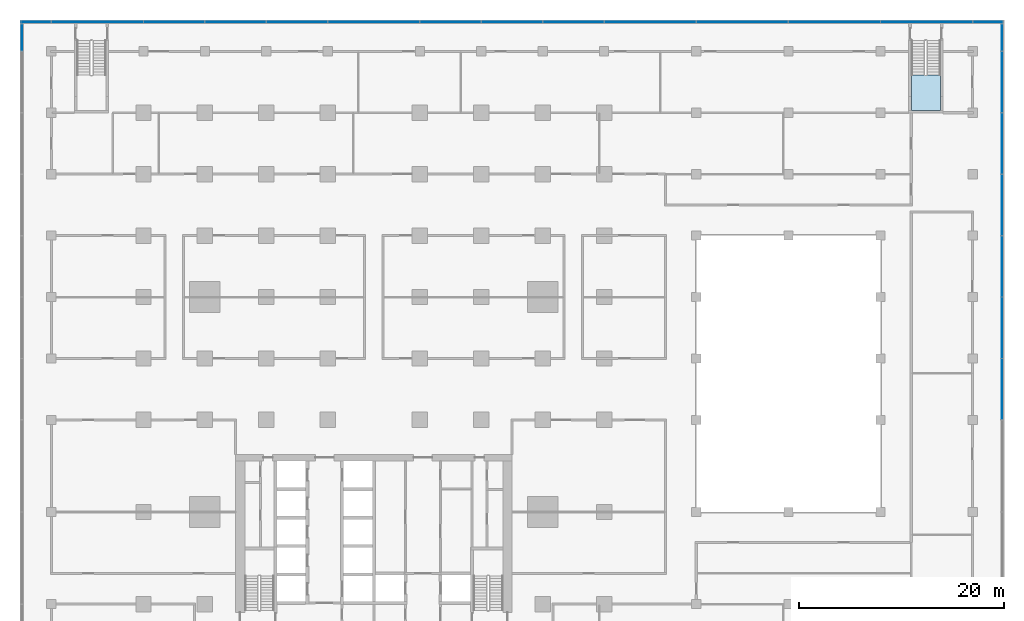
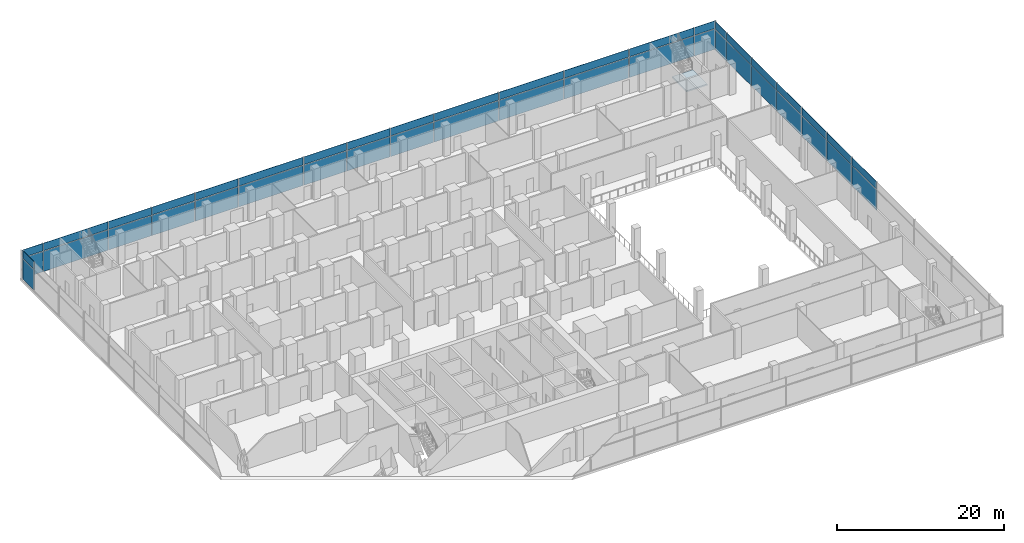
# One storey, part 11 of 22: 44 plates, 1 slab, 4 elements without a shape of their own.
"""IFC4 building model written with IfcOpenShell, lengths in metres."""

from ifc_helpers import new_model, si_unit, direction, frame, origin, origin_2d, place, context, subcontext, project, spatial, polyline, rectangle, outline, extrude, material, layer, layer_set, type_object, element, aggregate, save


model = new_model("IFC4")

# Units and contexts
model_context = context("Model", 3, precision=1e-05, world=origin(), true_north=direction((0.0, 1.0)))
body_context = subcontext(model_context, "Body", "Model", "MODEL_VIEW")
ifc_project = project(units=[si_unit("LENGTHUNIT", "METRE"), si_unit("AREAUNIT", "SQUARE_METRE"), si_unit("VOLUMEUNIT", "CUBIC_METRE"), si_unit("PLANEANGLEUNIT", "RADIAN"), si_unit("MASSUNIT", "GRAM", prefix="KILO")], contexts=[model_context])

# Site, building, storey
site_placement = place(None, origin())
site = spatial("IfcSite", under=ifc_project, at=site_placement, CompositionType="ELEMENT")
building_placement = place(site_placement, origin())
building = spatial("IfcBuilding", under=site, at=building_placement, Name="Finial Court Residences", CompositionType="ELEMENT")
storey_placement = place(building_placement, frame((0.0, 0.0, 23.5)))
storey = spatial("IfcBuildingStorey", under=building, at=storey_placement, Name="L04", CompositionType="ELEMENT", Elevation=23.5)

# Curtain wall, plates
ifc_material_1 = material(Name="Bronze anodised aluminium", Category="aluminium")
curtain_wall_type = type_object("IfcCurtainWallType", Name="Podium curtain wall", PredefinedType="NOTDEFINED", material=ifc_material_1)
curtain_wall_1_placement = place(storey_placement, origin())
curtain_wall_1 = element("IfcCurtainWall", 1, at=curtain_wall_1_placement, inside=storey, type_object=curtain_wall_type, Name="E-L04-CW-N1", PredefinedType="NOTDEFINED")
ifc_material_2 = material(Name="Clear low-e glass", Category="glass")
ifc_layer_1 = layer(ifc_material_2, 0.035888671875)
ifc_layer_set_1 = layer_set([ifc_layer_1], Name="CW5 vision glass 36")
plate_type = type_object("IfcPlateType", Name="CW5 vision glass 36", PredefinedType="CURTAIN_PANEL", material=ifc_layer_set_1)
plate_1_placement = place(storey_placement, frame((-32.97998046875, 34.35009765625, 0.0), z_axis=(0.0, 0.0, 1.0), x_axis=(1.0, 0.0, 0.0)))
plate_1 = element("IfcPlate", 2, at=plate_1_placement, type_object=plate_type, Name="CW5 glass 1.1", PredefinedType="CURTAIN_PANEL", context=body_context, shape_type="SweptSolid", body=[
    extrude(rectangle(XDim=2.8798828125, YDim=0.035888671875, at=origin_2d()), origin(), (0.0, 0.0, 1.0), 2.9599609375),
])
plate_2_placement = place(storey_placement, frame((-32.97998046875, 34.35009765625, 3.0400390625), z_axis=(0.0, 0.0, 1.0), x_axis=(1.0, 0.0, 0.0)))
plate_2 = element("IfcPlate", 3, at=plate_2_placement, type_object=plate_type, Name="CW5 glass 1.2", PredefinedType="CURTAIN_PANEL", context=body_context, shape_type="SweptSolid", body=[
    extrude(rectangle(XDim=2.8798828125, YDim=0.035888671875, at=origin_2d()), origin(), (0.0, 0.0, 1.0), 1.110107421875),
])
plate_3_placement = place(storey_placement, frame((-27.0, 34.35009765625, 0.0), z_axis=(0.0, 0.0, 1.0), x_axis=(1.0, 0.0, 0.0)))
plate_3 = element("IfcPlate", 4, at=plate_3_placement, type_object=plate_type, Name="CW5 glass 2.1", PredefinedType="CURTAIN_PANEL", context=body_context, shape_type="SweptSolid", body=[
    extrude(rectangle(XDim=8.919921875, YDim=0.035888671875, at=origin_2d()), origin(), (0.0, 0.0, 1.0), 2.9599609375),
])
plate_4_placement = place(storey_placement, frame((-27.0, 34.35009765625, 3.0400390625), z_axis=(0.0, 0.0, 1.0), x_axis=(1.0, 0.0, 0.0)))
plate_4 = element("IfcPlate", 5, at=plate_4_placement, type_object=plate_type, Name="CW5 glass 2.2", PredefinedType="CURTAIN_PANEL", context=body_context, shape_type="SweptSolid", body=[
    extrude(rectangle(XDim=8.919921875, YDim=0.035888671875, at=origin_2d()), origin(), (0.0, 0.0, 1.0), 1.110107421875),
])
plate_5_placement = place(storey_placement, frame((-19.5, 34.35009765625, 0.0), z_axis=(0.0, 0.0, 1.0), x_axis=(1.0, 0.0, 0.0)))
plate_5 = element("IfcPlate", 6, at=plate_5_placement, type_object=plate_type, Name="CW5 glass 3.1", PredefinedType="CURTAIN_PANEL", context=body_context, shape_type="SweptSolid", body=[
    extrude(rectangle(XDim=5.919921875, YDim=0.035888671875, at=origin_2d()), origin(), (0.0, 0.0, 1.0), 2.9599609375),
])
plate_6_placement = place(storey_placement, frame((-19.5, 34.35009765625, 3.0400390625), z_axis=(0.0, 0.0, 1.0), x_axis=(1.0, 0.0, 0.0)))
plate_6 = element("IfcPlate", 7, at=plate_6_placement, type_object=plate_type, Name="CW5 glass 3.2", PredefinedType="CURTAIN_PANEL", context=body_context, shape_type="SweptSolid", body=[
    extrude(rectangle(XDim=5.919921875, YDim=0.035888671875, at=origin_2d()), origin(), (0.0, 0.0, 1.0), 1.110107421875),
])
plate_7_placement = place(storey_placement, frame((-13.5, 34.35009765625, 0.0), z_axis=(0.0, 0.0, 1.0), x_axis=(1.0, 0.0, 0.0)))
plate_7 = element("IfcPlate", 8, at=plate_7_placement, type_object=plate_type, Name="CW5 glass 4.1", PredefinedType="CURTAIN_PANEL", context=body_context, shape_type="SweptSolid", body=[
    extrude(rectangle(XDim=5.919921875, YDim=0.035888671875, at=origin_2d()), origin(), (0.0, 0.0, 1.0), 2.9599609375),
])
plate_8_placement = place(storey_placement, frame((-13.5, 34.35009765625, 3.0400390625), z_axis=(0.0, 0.0, 1.0), x_axis=(1.0, 0.0, 0.0)))
plate_8 = element("IfcPlate", 9, at=plate_8_placement, type_object=plate_type, Name="CW5 glass 4.2", PredefinedType="CURTAIN_PANEL", context=body_context, shape_type="SweptSolid", body=[
    extrude(rectangle(XDim=5.919921875, YDim=0.035888671875, at=origin_2d()), origin(), (0.0, 0.0, 1.0), 1.110107421875),
])
plate_9_placement = place(storey_placement, frame((-7.5, 34.35009765625, 0.0), z_axis=(0.0, 0.0, 1.0), x_axis=(1.0, 0.0, 0.0)))
plate_9 = element("IfcPlate", 10, at=plate_9_placement, type_object=plate_type, Name="CW5 glass 5.1", PredefinedType="CURTAIN_PANEL", context=body_context, shape_type="SweptSolid", body=[
    extrude(rectangle(XDim=5.919921875, YDim=0.035888671875, at=origin_2d()), origin(), (0.0, 0.0, 1.0), 2.9599609375),
])
plate_10_placement = place(storey_placement, frame((-7.5, 34.35009765625, 3.0400390625), z_axis=(0.0, 0.0, 1.0), x_axis=(1.0, 0.0, 0.0)))
plate_10 = element("IfcPlate", 11, at=plate_10_placement, type_object=plate_type, Name="CW5 glass 5.2", PredefinedType="CURTAIN_PANEL", context=body_context, shape_type="SweptSolid", body=[
    extrude(rectangle(XDim=5.919921875, YDim=0.035888671875, at=origin_2d()), origin(), (0.0, 0.0, 1.0), 1.110107421875),
])
plate_11_placement = place(storey_placement, frame((0.0, 34.35009765625, 0.0), z_axis=(0.0, 0.0, 1.0), x_axis=(1.0, 0.0, 0.0)))
plate_11 = element("IfcPlate", 12, at=plate_11_placement, type_object=plate_type, Name="CW5 glass 6.1", PredefinedType="CURTAIN_PANEL", context=body_context, shape_type="SweptSolid", body=[
    extrude(rectangle(XDim=8.919921875, YDim=0.035888671875, at=origin_2d()), origin(), (0.0, 0.0, 1.0), 2.9599609375),
])
plate_12_placement = place(storey_placement, frame((0.0, 34.35009765625, 3.0400390625), z_axis=(0.0, 0.0, 1.0), x_axis=(1.0, 0.0, 0.0)))
plate_12 = element("IfcPlate", 13, at=plate_12_placement, type_object=plate_type, Name="CW5 glass 6.2", PredefinedType="CURTAIN_PANEL", context=body_context, shape_type="SweptSolid", body=[
    extrude(rectangle(XDim=8.919921875, YDim=0.035888671875, at=origin_2d()), origin(), (0.0, 0.0, 1.0), 1.110107421875),
])
plate_13_placement = place(storey_placement, frame((7.5, 34.35009765625, 0.0), z_axis=(0.0, 0.0, 1.0), x_axis=(1.0, 0.0, 0.0)))
plate_13 = element("IfcPlate", 14, at=plate_13_placement, type_object=plate_type, Name="CW5 glass 7.1", PredefinedType="CURTAIN_PANEL", context=body_context, shape_type="SweptSolid", body=[
    extrude(rectangle(XDim=5.919921875, YDim=0.035888671875, at=origin_2d()), origin(), (0.0, 0.0, 1.0), 2.9599609375),
])
plate_14_placement = place(storey_placement, frame((7.5, 34.35009765625, 3.0400390625), z_axis=(0.0, 0.0, 1.0), x_axis=(1.0, 0.0, 0.0)))
plate_14 = element("IfcPlate", 15, at=plate_14_placement, type_object=plate_type, Name="CW5 glass 7.2", PredefinedType="CURTAIN_PANEL", context=body_context, shape_type="SweptSolid", body=[
    extrude(rectangle(XDim=5.919921875, YDim=0.035888671875, at=origin_2d()), origin(), (0.0, 0.0, 1.0), 1.110107421875),
])
plate_15_placement = place(storey_placement, frame((13.5, 34.35009765625, 0.0), z_axis=(0.0, 0.0, 1.0), x_axis=(1.0, 0.0, 0.0)))
plate_15 = element("IfcPlate", 16, at=plate_15_placement, type_object=plate_type, Name="CW5 glass 8.1", PredefinedType="CURTAIN_PANEL", context=body_context, shape_type="SweptSolid", body=[
    extrude(rectangle(XDim=5.919921875, YDim=0.035888671875, at=origin_2d()), origin(), (0.0, 0.0, 1.0), 2.9599609375),
])
plate_16_placement = place(storey_placement, frame((13.5, 34.35009765625, 3.0400390625), z_axis=(0.0, 0.0, 1.0), x_axis=(1.0, 0.0, 0.0)))
plate_16 = element("IfcPlate", 17, at=plate_16_placement, type_object=plate_type, Name="CW5 glass 8.2", PredefinedType="CURTAIN_PANEL", context=body_context, shape_type="SweptSolid", body=[
    extrude(rectangle(XDim=5.919921875, YDim=0.035888671875, at=origin_2d()), origin(), (0.0, 0.0, 1.0), 1.110107421875),
])
plate_17_placement = place(storey_placement, frame((19.5, 34.35009765625, 0.0), z_axis=(0.0, 0.0, 1.0), x_axis=(1.0, 0.0, 0.0)))
plate_17 = element("IfcPlate", 18, at=plate_17_placement, type_object=plate_type, Name="CW5 glass 9.1", PredefinedType="CURTAIN_PANEL", context=body_context, shape_type="SweptSolid", body=[
    extrude(rectangle(XDim=5.919921875, YDim=0.035888671875, at=origin_2d()), origin(), (0.0, 0.0, 1.0), 2.9599609375),
])
plate_18_placement = place(storey_placement, frame((19.5, 34.35009765625, 3.0400390625), z_axis=(0.0, 0.0, 1.0), x_axis=(1.0, 0.0, 0.0)))
plate_18 = element("IfcPlate", 19, at=plate_18_placement, type_object=plate_type, Name="CW5 glass 9.2", PredefinedType="CURTAIN_PANEL", context=body_context, shape_type="SweptSolid", body=[
    extrude(rectangle(XDim=5.919921875, YDim=0.035888671875, at=origin_2d()), origin(), (0.0, 0.0, 1.0), 1.110107421875),
])
plate_19_placement = place(storey_placement, frame((27.0, 34.35009765625, 0.0), z_axis=(0.0, 0.0, 1.0), x_axis=(1.0, 0.0, 0.0)))
plate_19 = element("IfcPlate", 20, at=plate_19_placement, type_object=plate_type, Name="CW5 glass 10.1", PredefinedType="CURTAIN_PANEL", context=body_context, shape_type="SweptSolid", body=[
    extrude(rectangle(XDim=8.919921875, YDim=0.035888671875, at=origin_2d()), origin(), (0.0, 0.0, 1.0), 2.9599609375),
])
plate_20_placement = place(storey_placement, frame((27.0, 34.35009765625, 3.0400390625), z_axis=(0.0, 0.0, 1.0), x_axis=(1.0, 0.0, 0.0)))
plate_20 = element("IfcPlate", 21, at=plate_20_placement, type_object=plate_type, Name="CW5 glass 10.2", PredefinedType="CURTAIN_PANEL", context=body_context, shape_type="SweptSolid", body=[
    extrude(rectangle(XDim=8.919921875, YDim=0.035888671875, at=origin_2d()), origin(), (0.0, 0.0, 1.0), 1.110107421875),
])
plate_21_placement = place(storey_placement, frame((36.0, 34.35009765625, 0.0), z_axis=(0.0, 0.0, 1.0), x_axis=(1.0, 0.0, 0.0)))
plate_21 = element("IfcPlate", 22, at=plate_21_placement, type_object=plate_type, Name="CW5 glass 11.1", PredefinedType="CURTAIN_PANEL", context=body_context, shape_type="SweptSolid", body=[
    extrude(rectangle(XDim=8.919921875, YDim=0.035888671875, at=origin_2d()), origin(), (0.0, 0.0, 1.0), 2.9599609375),
])
plate_22_placement = place(storey_placement, frame((36.0, 34.35009765625, 3.0400390625), z_axis=(0.0, 0.0, 1.0), x_axis=(1.0, 0.0, 0.0)))
plate_22 = element("IfcPlate", 23, at=plate_22_placement, type_object=plate_type, Name="CW5 glass 11.2", PredefinedType="CURTAIN_PANEL", context=body_context, shape_type="SweptSolid", body=[
    extrude(rectangle(XDim=8.919921875, YDim=0.035888671875, at=origin_2d()), origin(), (0.0, 0.0, 1.0), 1.110107421875),
])
plate_23_placement = place(storey_placement, frame((45.0, 34.35009765625, 0.0), z_axis=(0.0, 0.0, 1.0), x_axis=(1.0, 0.0, 0.0)))
plate_23 = element("IfcPlate", 24, at=plate_23_placement, type_object=plate_type, Name="CW5 glass 12.1", PredefinedType="CURTAIN_PANEL", context=body_context, shape_type="SweptSolid", body=[
    extrude(rectangle(XDim=8.919921875, YDim=0.035888671875, at=origin_2d()), origin(), (0.0, 0.0, 1.0), 2.9599609375),
])
plate_24_placement = place(storey_placement, frame((45.0, 34.35009765625, 3.0400390625), z_axis=(0.0, 0.0, 1.0), x_axis=(1.0, 0.0, 0.0)))
plate_24 = element("IfcPlate", 25, at=plate_24_placement, type_object=plate_type, Name="CW5 glass 12.2", PredefinedType="CURTAIN_PANEL", context=body_context, shape_type="SweptSolid", body=[
    extrude(rectangle(XDim=8.919921875, YDim=0.035888671875, at=origin_2d()), origin(), (0.0, 0.0, 1.0), 1.110107421875),
])
plate_25_placement = place(storey_placement, frame((54.0, 34.35009765625, 0.0), z_axis=(0.0, 0.0, 1.0), x_axis=(1.0, 0.0, 0.0)))
plate_25 = element("IfcPlate", 26, at=plate_25_placement, type_object=plate_type, Name="CW5 glass 13.1", PredefinedType="CURTAIN_PANEL", context=body_context, shape_type="SweptSolid", body=[
    extrude(rectangle(XDim=8.919921875, YDim=0.035888671875, at=origin_2d()), origin(), (0.0, 0.0, 1.0), 2.9599609375),
])
plate_26_placement = place(storey_placement, frame((54.0, 34.35009765625, 3.0400390625), z_axis=(0.0, 0.0, 1.0), x_axis=(1.0, 0.0, 0.0)))
plate_26 = element("IfcPlate", 27, at=plate_26_placement, type_object=plate_type, Name="CW5 glass 13.2", PredefinedType="CURTAIN_PANEL", context=body_context, shape_type="SweptSolid", body=[
    extrude(rectangle(XDim=8.919921875, YDim=0.035888671875, at=origin_2d()), origin(), (0.0, 0.0, 1.0), 1.110107421875),
])
plate_27_placement = place(storey_placement, frame((59.97998046875, 34.35009765625, 0.0), z_axis=(0.0, 0.0, 1.0), x_axis=(1.0, 0.0, 0.0)))
plate_27 = element("IfcPlate", 28, at=plate_27_placement, type_object=plate_type, Name="CW5 glass 14.1", PredefinedType="CURTAIN_PANEL", context=body_context, shape_type="SweptSolid", body=[
    extrude(rectangle(XDim=2.8798828125, YDim=0.035888671875, at=origin_2d()), origin(), (0.0, 0.0, 1.0), 2.9599609375),
])
plate_28_placement = place(storey_placement, frame((59.97998046875, 34.35009765625, 3.0400390625), z_axis=(0.0, 0.0, 1.0), x_axis=(1.0, 0.0, 0.0)))
plate_28 = element("IfcPlate", 29, at=plate_28_placement, type_object=plate_type, Name="CW5 glass 14.2", PredefinedType="CURTAIN_PANEL", context=body_context, shape_type="SweptSolid", body=[
    extrude(rectangle(XDim=2.8798828125, YDim=0.035888671875, at=origin_2d()), origin(), (0.0, 0.0, 1.0), 1.110107421875),
])
aggregate(curtain_wall_1, [plate_1, plate_2, plate_3, plate_4, plate_5, plate_6, plate_7, plate_8, plate_9, plate_10, plate_11, plate_12, plate_13, plate_14, plate_15, plate_16, plate_17, plate_18, plate_19, plate_20, plate_21, plate_22, plate_23, plate_24, plate_25, plate_26, plate_27, plate_28])

curtain_wall_2_placement = place(storey_placement, origin())
curtain_wall_2 = element("IfcCurtainWall", 30, at=curtain_wall_2_placement, inside=storey, type_object=curtain_wall_type, Name="E-L04-CW-E2", PredefinedType="NOTDEFINED")
plate_29_placement = place(storey_placement, frame((61.35009765625, -1.5, 0.0), z_axis=(0.0, 0.0, 1.0), x_axis=(0.0, 1.0, 0.0)))
plate_29 = element("IfcPlate", 31, at=plate_29_placement, type_object=plate_type, Name="CW5 glass 5.1", PredefinedType="CURTAIN_PANEL", context=body_context, shape_type="SweptSolid", body=[
    extrude(rectangle(XDim=5.919921875, YDim=0.035888671875, at=origin_2d()), origin(), (0.0, 0.0, 1.0), 2.9599609375),
])
plate_30_placement = place(storey_placement, frame((61.35009765625, -1.5, 3.0400390625), z_axis=(0.0, 0.0, 1.0), x_axis=(0.0, 1.0, 0.0)))
plate_30 = element("IfcPlate", 32, at=plate_30_placement, type_object=plate_type, Name="CW5 glass 5.2", PredefinedType="CURTAIN_PANEL", context=body_context, shape_type="SweptSolid", body=[
    extrude(rectangle(XDim=5.919921875, YDim=0.035888671875, at=origin_2d()), origin(), (0.0, 0.0, 1.0), 1.110107421875),
])
plate_31_placement = place(storey_placement, frame((61.35009765625, 4.5, 0.0), z_axis=(0.0, 0.0, 1.0), x_axis=(0.0, 1.0, 0.0)))
plate_31 = element("IfcPlate", 33, at=plate_31_placement, type_object=plate_type, Name="CW5 glass 6.1", PredefinedType="CURTAIN_PANEL", context=body_context, shape_type="SweptSolid", body=[
    extrude(rectangle(XDim=5.919921875, YDim=0.035888671875, at=origin_2d()), origin(), (0.0, 0.0, 1.0), 2.9599609375),
])
plate_32_placement = place(storey_placement, frame((61.35009765625, 4.5, 3.0400390625), z_axis=(0.0, 0.0, 1.0), x_axis=(0.0, 1.0, 0.0)))
plate_32 = element("IfcPlate", 34, at=plate_32_placement, type_object=plate_type, Name="CW5 glass 6.2", PredefinedType="CURTAIN_PANEL", context=body_context, shape_type="SweptSolid", body=[
    extrude(rectangle(XDim=5.919921875, YDim=0.035888671875, at=origin_2d()), origin(), (0.0, 0.0, 1.0), 1.110107421875),
])
plate_33_placement = place(storey_placement, frame((61.35009765625, 10.5, 0.0), z_axis=(0.0, 0.0, 1.0), x_axis=(0.0, 1.0, 0.0)))
plate_33 = element("IfcPlate", 35, at=plate_33_placement, type_object=plate_type, Name="CW5 glass 7.1", PredefinedType="CURTAIN_PANEL", context=body_context, shape_type="SweptSolid", body=[
    extrude(rectangle(XDim=5.919921875, YDim=0.035888671875, at=origin_2d()), origin(), (0.0, 0.0, 1.0), 2.9599609375),
])
plate_34_placement = place(storey_placement, frame((61.35009765625, 10.5, 3.0400390625), z_axis=(0.0, 0.0, 1.0), x_axis=(0.0, 1.0, 0.0)))
plate_34 = element("IfcPlate", 36, at=plate_34_placement, type_object=plate_type, Name="CW5 glass 7.2", PredefinedType="CURTAIN_PANEL", context=body_context, shape_type="SweptSolid", body=[
    extrude(rectangle(XDim=5.919921875, YDim=0.035888671875, at=origin_2d()), origin(), (0.0, 0.0, 1.0), 1.110107421875),
])
plate_35_placement = place(storey_placement, frame((61.35009765625, 16.5, 0.0), z_axis=(0.0, 0.0, 1.0), x_axis=(0.0, 1.0, 0.0)))
plate_35 = element("IfcPlate", 37, at=plate_35_placement, type_object=plate_type, Name="CW5 glass 8.1", PredefinedType="CURTAIN_PANEL", context=body_context, shape_type="SweptSolid", body=[
    extrude(rectangle(XDim=5.919921875, YDim=0.035888671875, at=origin_2d()), origin(), (0.0, 0.0, 1.0), 2.9599609375),
])
plate_36_placement = place(storey_placement, frame((61.35009765625, 16.5, 3.0400390625), z_axis=(0.0, 0.0, 1.0), x_axis=(0.0, 1.0, 0.0)))
plate_36 = element("IfcPlate", 38, at=plate_36_placement, type_object=plate_type, Name="CW5 glass 8.2", PredefinedType="CURTAIN_PANEL", context=body_context, shape_type="SweptSolid", body=[
    extrude(rectangle(XDim=5.919921875, YDim=0.035888671875, at=origin_2d()), origin(), (0.0, 0.0, 1.0), 1.110107421875),
])
plate_37_placement = place(storey_placement, frame((61.35009765625, 22.5, 0.0), z_axis=(0.0, 0.0, 1.0), x_axis=(0.0, 1.0, 0.0)))
plate_37 = element("IfcPlate", 39, at=plate_37_placement, type_object=plate_type, Name="CW5 glass 9.1", PredefinedType="CURTAIN_PANEL", context=body_context, shape_type="SweptSolid", body=[
    extrude(rectangle(XDim=5.919921875, YDim=0.035888671875, at=origin_2d()), origin(), (0.0, 0.0, 1.0), 2.9599609375),
])
plate_38_placement = place(storey_placement, frame((61.35009765625, 22.5, 3.0400390625), z_axis=(0.0, 0.0, 1.0), x_axis=(0.0, 1.0, 0.0)))
plate_38 = element("IfcPlate", 40, at=plate_38_placement, type_object=plate_type, Name="CW5 glass 9.2", PredefinedType="CURTAIN_PANEL", context=body_context, shape_type="SweptSolid", body=[
    extrude(rectangle(XDim=5.919921875, YDim=0.035888671875, at=origin_2d()), origin(), (0.0, 0.0, 1.0), 1.110107421875),
])
plate_39_placement = place(storey_placement, frame((61.35009765625, 28.5, 0.0), z_axis=(0.0, 0.0, 1.0), x_axis=(0.0, 1.0, 0.0)))
plate_39 = element("IfcPlate", 41, at=plate_39_placement, type_object=plate_type, Name="CW5 glass 10.1", PredefinedType="CURTAIN_PANEL", context=body_context, shape_type="SweptSolid", body=[
    extrude(rectangle(XDim=5.919921875, YDim=0.035888671875, at=origin_2d()), origin(), (0.0, 0.0, 1.0), 2.9599609375),
])
plate_40_placement = place(storey_placement, frame((61.35009765625, 28.5, 3.0400390625), z_axis=(0.0, 0.0, 1.0), x_axis=(0.0, 1.0, 0.0)))
plate_40 = element("IfcPlate", 42, at=plate_40_placement, type_object=plate_type, Name="CW5 glass 10.2", PredefinedType="CURTAIN_PANEL", context=body_context, shape_type="SweptSolid", body=[
    extrude(rectangle(XDim=5.919921875, YDim=0.035888671875, at=origin_2d()), origin(), (0.0, 0.0, 1.0), 1.110107421875),
])
plate_41_placement = place(storey_placement, frame((61.35009765625, 32.8486328125, 0.0), z_axis=(0.0, 0.0, 1.0), x_axis=(0.0, 1.0, 0.0)))
plate_41 = element("IfcPlate", 43, at=plate_41_placement, type_object=plate_type, Name="CW5 glass 11.1", PredefinedType="CURTAIN_PANEL", context=body_context, shape_type="SweptSolid", body=[
    extrude(rectangle(XDim=2.617431640625, YDim=0.035888671875, at=origin_2d()), origin(), (0.0, 0.0, 1.0), 2.9599609375),
])
plate_42_placement = place(storey_placement, frame((61.35009765625, 32.8486328125, 3.0400390625), z_axis=(0.0, 0.0, 1.0), x_axis=(0.0, 1.0, 0.0)))
plate_42 = element("IfcPlate", 44, at=plate_42_placement, type_object=plate_type, Name="CW5 glass 11.2", PredefinedType="CURTAIN_PANEL", context=body_context, shape_type="SweptSolid", body=[
    extrude(rectangle(XDim=2.617431640625, YDim=0.035888671875, at=origin_2d()), origin(), (0.0, 0.0, 1.0), 1.110107421875),
])
aggregate(curtain_wall_2, [plate_29, plate_30, plate_31, plate_32, plate_33, plate_34, plate_35, plate_36, plate_37, plate_38, plate_39, plate_40, plate_41, plate_42])

curtain_wall_3_placement = place(storey_placement, origin())
curtain_wall_3 = element("IfcCurtainWall", 45, at=curtain_wall_3_placement, inside=storey, type_object=curtain_wall_type, Name="E-L04-CW-W4", PredefinedType="NOTDEFINED")
plate_43_placement = place(storey_placement, frame((-34.35009765625, 32.8486328125, 0.0), z_axis=(0.0, 0.0, 1.0), x_axis=(0.0, 1.0, 0.0)))
plate_43 = element("IfcPlate", 46, at=plate_43_placement, type_object=plate_type, Name="CW5 glass 11.1", PredefinedType="CURTAIN_PANEL", context=body_context, shape_type="SweptSolid", body=[
    extrude(rectangle(XDim=2.617431640625, YDim=0.035888671875, at=origin_2d()), origin(), (0.0, 0.0, 1.0), 2.9599609375),
])
plate_44_placement = place(storey_placement, frame((-34.35009765625, 32.8486328125, 3.0400390625), z_axis=(0.0, 0.0, 1.0), x_axis=(0.0, 1.0, 0.0)))
plate_44 = element("IfcPlate", 47, at=plate_44_placement, type_object=plate_type, Name="CW5 glass 11.2", PredefinedType="CURTAIN_PANEL", context=body_context, shape_type="SweptSolid", body=[
    extrude(rectangle(XDim=2.617431640625, YDim=0.035888671875, at=origin_2d()), origin(), (0.0, 0.0, 1.0), 1.110107421875),
])
aggregate(curtain_wall_3, [plate_43, plate_44])

# Stair, slab
ifc_material_3 = material(Name="Concrete C50/60", Category="concrete")
stair_type = type_object("IfcStairType", Name="Exit stair 26 risers of 173.1 mm", PredefinedType="HALF_TURN_STAIR", material=ifc_material_3)
stair_placement = place(storey_placement, origin())
stair = element("IfcStair", 48, at=stair_placement, inside=storey, type_object=stair_type, Name="L04 Exit Stair 5", PredefinedType="HALF_TURN_STAIR")
ifc_layer_2 = layer(ifc_material_3, 0.199951171875)
ifc_layer_set_2 = layer_set([ifc_layer_2], Name="Exit stair landing")
slab_type = type_object("IfcSlabType", Name="Exit stair landing", PredefinedType="LANDING", material=ifc_layer_set_2)
slab_placement = place(storey_placement, frame((0.0, 0.0, 2.050048828125)))
slab = element("IfcSlab", 49, at=slab_placement, type_object=slab_type, Name="ST-5 landing 1", PredefinedType="LANDING", context=body_context, shape_type="SweptSolid", body=[
    extrude(outline(polyline([(52.5, 29.18994140625), (52.5, 25.719970703125), (55.35009765625, 25.719970703125), (55.35009765625, 29.18994140625), (52.5, 29.18994140625)])), origin(), (0.0, 0.0, 1.0), 0.199951171875),
])
aggregate(stair, [slab])

save(model, "model.ifc")
